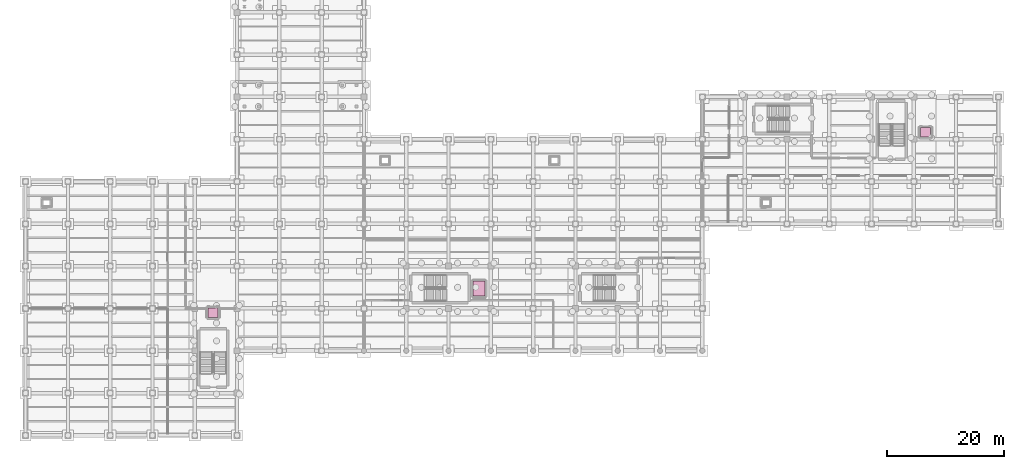
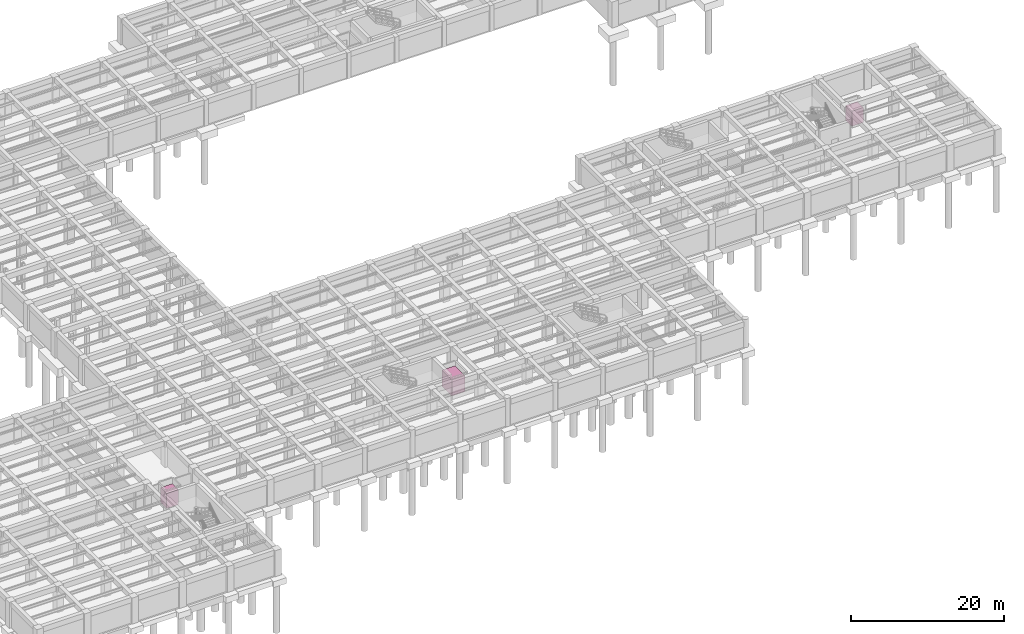
# One storey, part 34 of 34: 3 transport elements.
"""IFC4 building model written with IfcOpenShell, lengths in metres."""

from ifc_helpers import new_model, si_unit, direction, frame, origin, origin_2d, place, context, subcontext, project, spatial, rectangle, extrude, material, type_object, element, save


model = new_model("IFC4")

# Units and contexts
model_context = context("Model", 3, precision=1e-05, world=origin(), true_north=direction((0.0, 1.0)))
body_context = subcontext(model_context, "Body", "Model", "MODEL_VIEW")
ifc_project = project(units=[si_unit("LENGTHUNIT", "METRE"), si_unit("AREAUNIT", "SQUARE_METRE"), si_unit("VOLUMEUNIT", "CUBIC_METRE"), si_unit("PLANEANGLEUNIT", "RADIAN"), si_unit("MASSUNIT", "GRAM", prefix="KILO")], contexts=[model_context])

# Site, building, storey
site_placement = place(None, origin())
site = spatial("IfcSite", under=ifc_project, at=site_placement, CompositionType="ELEMENT")
building_placement = place(site_placement, origin())
building = spatial("IfcBuilding", under=site, at=building_placement, Name="Solenvale Faculty of Natural Sciences", CompositionType="ELEMENT")
storey_placement = place(building_placement, frame((0.0, 0.0, -4.5)))
storey = spatial("IfcBuildingStorey", under=building, at=storey_placement, Name="B01", CompositionType="ELEMENT", Elevation=-4.5)

# Transport elements
ifc_material = material(Name="Stainless steel Grade 304", Category="steel")
transport_element_type_1 = type_object("IfcTransportElementType", Name="LFT-GDS-2000x2600", PredefinedType="ELEVATOR", material=ifc_material)
transport_element_placement = place(storey_placement, frame((77.199951171875, 25.0, 0.0), z_axis=(0.0, 0.0, 1.0), x_axis=(1.0, 0.0, 0.0)))
element("IfcTransportElement", 1, at=transport_element_placement, inside=storey, type_object=transport_element_type_1, Name="Elevator LG-01", PredefinedType="ELEVATOR", context=body_context, shape_type="SweptSolid", body=[
    extrude(rectangle(XDim=2.0, YDim=2.60009765625, at=origin_2d()), origin(), (0.0, 0.0, 1.0), 2.550048828125),
])
transport_element_type_2 = type_object("IfcTransportElementType", Name="LFT-PAX-1750x1600", PredefinedType="ELEVATOR", material=ifc_material)
for number, where, z_axis, x_axis, name in (
    (2, (31.89990234375, 20.89990234375, 0.0), (0.0, 0.0, 1.0), (1.0, 0.0, 0.0), "Elevator LP-01"),
    (3, (153.199951171875, 51.60009765625, 0.0), (0.0, 0.0, 1.0), (1.0, 0.0, 0.0), "Elevator LP-02"),
):
    element("IfcTransportElement", number, at=place(storey_placement, frame(where, z_axis=z_axis, x_axis=x_axis)), inside=storey, type_object=transport_element_type_2, Name=name, PredefinedType="ELEVATOR", context=body_context, shape_type="SweptSolid", body=[
        extrude(rectangle(XDim=1.75, YDim=1.60009765625, at=origin_2d()), origin(), (0.0, 0.0, 1.0), 2.39990234375),
    ])

save(model, "model.ifc")
